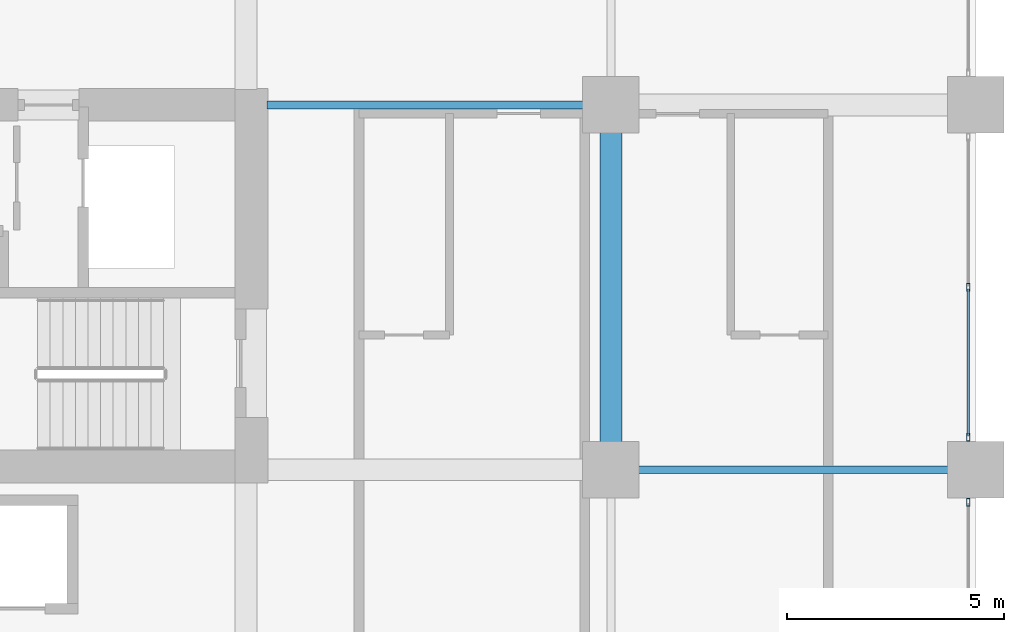
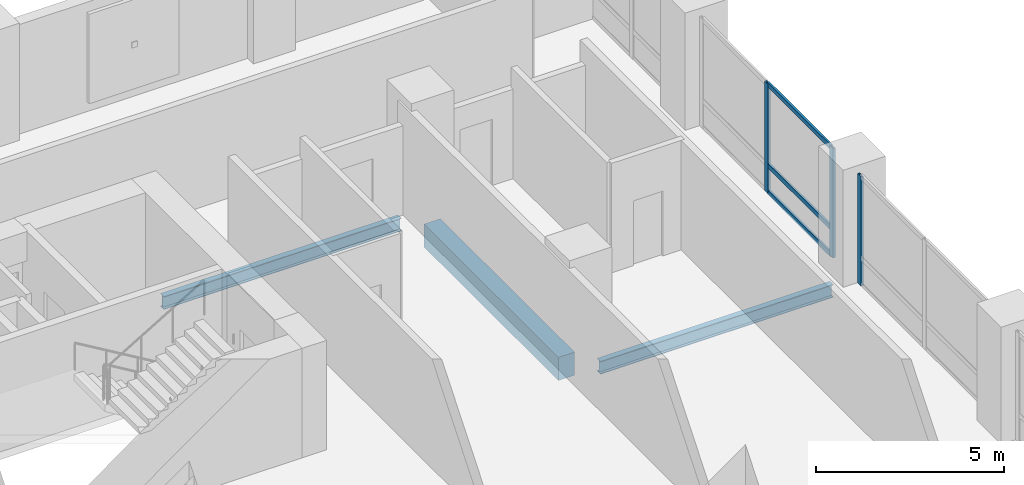
# One storey, part 5 of 24: 6 members, 3 beams, 2 elements without a shape of their own.
"""IFC4 building model written with IfcOpenShell, lengths in metres."""

import ifcopenshell
import ifcopenshell.guid

model = None  # the IFC model being written
_history = None  # IfcOwnerHistory: only IFC2X3 demands one
_inside = {}  # id of a spatial element -> (the spatial element, [elements in it])
_under = {}  # id of a project, library or spatial element -> (it, [spatial elements below it])
_declared = {}  # id of a project -> (the project, [libraries it declares])
_typed = {}  # id of a type object -> (the type object, [elements of that type])
_made_of = {}  # id of a material, layer set ... -> (it, [elements and type objects made of it])


def new_model(schema):
    """Start an empty IFC model of exactly this schema.

    Asked for "IFC4X3", IfcOpenShell would pick the latest addendum, in which some entities
    have other attributes; the version numbers below select the first issue.
    IFC2X3 requires an IfcOwnerHistory on every rooted entity: one is made here for all.
    """
    global model, _history
    if schema == "IFC4X3":
        model = ifcopenshell.file(schema_version=(4, 3, 0, 0))
    else:
        model = ifcopenshell.file(schema=schema)
    _inside.clear()
    _under.clear()
    _declared.clear()
    _typed.clear()
    _made_of.clear()
    _history = None
    if model.schema == "IFC2X3":
        org = make("IfcOrganization", Name="unknown")
        user = make(
            "IfcPersonAndOrganization",
            ThePerson=make("IfcPerson", FamilyName="unknown"),
            TheOrganization=org,
        )
        app = make(
            "IfcApplication",
            ApplicationDeveloper=org,
            Version="unknown",
            ApplicationFullName="unknown",
            ApplicationIdentifier="unknown",
        )
        _history = make(
            "IfcOwnerHistory",
            OwningUser=user,
            OwningApplication=app,
            ChangeAction="ADDED",
            CreationDate=0,
        )
    return model


def make(cls, **values):
    """One entity of the class cls with the attributes given. An attribute that is None is left unset."""
    return model.create_entity(
        cls, **{name: value for name, value in values.items() if value is not None}
    )


def rooted(cls, **values):
    """An entity with a GlobalId (a new one), such as an element, a storey or a relation."""
    return make(cls, GlobalId=ifcopenshell.guid.new(), OwnerHistory=_history, **values)


def si_unit(unit_type, name, prefix=None):
    """IfcSIUnit, for example si_unit("LENGTHUNIT", "METRE", prefix="MILLI")."""
    return make("IfcSIUnit", UnitType=unit_type, Prefix=prefix, Name=name)


def assignment(units):
    """IfcUnitAssignment: the units of a project."""
    return None if units is None else make("IfcUnitAssignment", Units=units)


def point(xyz):
    """IfcCartesianPoint."""
    return None if xyz is None else make("IfcCartesianPoint", Coordinates=xyz)


def direction(xyz):
    """IfcDirection."""
    return None if xyz is None else make("IfcDirection", DirectionRatios=xyz)


def frame(location, z_axis=None, x_axis=None):
    """IfcAxis2Placement3D, a coordinate frame: its origin and axes. An axis left out is left unset."""
    return make(
        "IfcAxis2Placement3D",
        Location=point(location),
        Axis=direction(z_axis),
        RefDirection=direction(x_axis),
    )


def frame_2d(location, x_axis=None):
    """IfcAxis2Placement2D, a coordinate frame in the plane: its origin and x axis."""
    return make(
        "IfcAxis2Placement2D", Location=point(location), RefDirection=direction(x_axis)
    )


def origin():
    """The frame at (0, 0, 0) with its axes left unset."""
    return frame((0.0, 0.0, 0.0))


def origin_2d():
    """The frame at (0, 0) in the plane with its x axis left unset."""
    return frame_2d((0.0, 0.0))


def place(relative_to, where):
    """IfcLocalPlacement: puts the frame where relative to a parent placement (None: the world)."""
    return make(
        "IfcLocalPlacement", PlacementRelTo=relative_to, RelativePlacement=where
    )


def context(
    kind, dimensions, precision=None, world=None, true_north=None, identifier=None
):
    """IfcGeometricRepresentationContext, for example the 3D "Model" context."""
    return make(
        "IfcGeometricRepresentationContext",
        ContextIdentifier=identifier,
        ContextType=kind,
        CoordinateSpaceDimension=dimensions,
        Precision=precision,
        WorldCoordinateSystem=world,
        TrueNorth=true_north,
    )


def subcontext(parent, identifier, kind, view, scale=None):
    """IfcGeometricRepresentationSubContext, for example "Body" below "Model"."""
    return make(
        "IfcGeometricRepresentationSubContext",
        ContextIdentifier=identifier,
        ContextType=kind,
        ParentContext=parent,
        TargetScale=scale,
        TargetView=view,
    )


def project(units=None, contexts=None):
    """IfcProject with its units and contexts."""
    return rooted(
        "IfcProject",
        Name="project",
        RepresentationContexts=contexts,
        UnitsInContext=assignment(units),
    )


def spatial(cls, under=None, at=None, **own):
    """A site, building, storey or space (cls), placed at a placement, below another one or the project."""
    s = rooted(cls, ObjectPlacement=at, **own)
    if under is not None:
        _under.setdefault(under.id(), (under, []))[1].append(s)
    return s


def profile(cls, at=None, kind="AREA", **sizes):
    """A parametric profile (cls). Its sizes go by their IFC names, for example OverallWidth=200.0."""
    return make(cls, ProfileType=kind, Position=at, **sizes)


def rectangle(**sizes):
    """IfcRectangleProfileDef."""
    return profile("IfcRectangleProfileDef", **sizes)


def hollow_rectangle(**sizes):
    """IfcRectangleHollowProfileDef."""
    return profile("IfcRectangleHollowProfileDef", **sizes)


def i_section(**sizes):
    """IfcIShapeProfileDef."""
    return profile("IfcIShapeProfileDef", **sizes)


def extrude(swept, where, along, depth):
    """IfcExtrudedAreaSolid: the profile swept, set in the frame where, extruded along a direction by depth."""
    return make(
        "IfcExtrudedAreaSolid",
        SweptArea=swept,
        Position=where,
        ExtrudedDirection=direction(along),
        Depth=depth,
    )


def shape(context_of_items, identifier, shape_type, items):
    """IfcShapeRepresentation: the items that make up one representation, for example the "Body"."""
    return make(
        "IfcShapeRepresentation",
        ContextOfItems=context_of_items,
        RepresentationIdentifier=identifier,
        RepresentationType=shape_type,
        Items=items,
    )


def material(Name=None, Category=None):
    """IfcMaterial."""
    return make("IfcMaterial", Name=Name, Category=Category)


def layer(
    of_material, thickness, ventilated=None, Name=None, Category=None, Priority=None
):
    """IfcMaterialLayer: one layer of a wall or slab, of a material (None: an air gap)."""
    return make(
        "IfcMaterialLayer",
        Material=of_material,
        LayerThickness=thickness,
        IsVentilated=ventilated,
        Name=Name,
        Category=Category,
        Priority=Priority,
    )


def layer_set(layers, Name=None):
    """IfcMaterialLayerSet."""
    return make("IfcMaterialLayerSet", MaterialLayers=layers, LayerSetName=Name)


def material_profile(
    of_material, cross_section, Name=None, Category=None, Priority=None
):
    """IfcMaterialProfile: a cross section and its material."""
    return make(
        "IfcMaterialProfile",
        Name=Name,
        Material=of_material,
        Profile=cross_section,
        Priority=Priority,
        Category=Category,
    )


def profile_set(profiles, Name=None, composite=None):
    """IfcMaterialProfileSet."""
    return make(
        "IfcMaterialProfileSet",
        Name=Name,
        MaterialProfiles=profiles,
        CompositeProfile=composite,
    )


def made_of(thing, what):
    """Note that an element or type object is made of a material, layer set ...; save() writes the relation."""
    if what is not None:
        _made_of.setdefault(what.id(), (what, []))[1].append(thing)
    return thing


def type_object(cls, material=None, **own):
    """A type object (cls), such as IfcWallType, which elements share."""
    return made_of(rooted(cls, **own), material)


def element(
    cls,
    number,
    at=None,
    inside=None,
    cuts=None,
    type_object=None,
    material=None,
    context=None,
    identifier="Body",
    shape_type=None,
    held_by="IfcProductDefinitionShape",
    body=None,
    shapes=None,
    **own,
):
    """One element of the class cls, such as IfcWall. Its Tag is "e" and its number.

    at: its placement. inside: the storey or other place that contains it. cuts: it is an
    opening in that element (IfcRelVoidsElement). A single representation is given by context,
    identifier, shape_type and body (its items); several are given by shapes. held_by: the class
    of the entity that holds the representations. save() writes the other relations.
    """
    e = rooted(cls, Tag="e%d" % number, ObjectPlacement=at, **own)
    if body is not None:
        shapes = [shape(context, identifier, shape_type, body)]
    if shapes is not None:
        e.Representation = make(held_by, Representations=shapes)
    if inside is not None:
        _inside.setdefault(inside.id(), (inside, []))[1].append(e)
    if cuts is not None:
        rooted(
            "IfcRelVoidsElement", RelatingBuildingElement=cuts, RelatedOpeningElement=e
        )
    if type_object is not None:
        _typed.setdefault(type_object.id(), (type_object, []))[1].append(e)
    return made_of(e, material)


def aggregate(whole, parts):
    """IfcRelAggregates: a whole, such as a stair, and the parts it consists of."""
    return rooted("IfcRelAggregates", RelatingObject=whole, RelatedObjects=parts)


def save(model, path):
    """Write the relations noted so far, then the file.

    IfcRelAggregates (storeys below a building ...), IfcRelContainedInSpatialStructure (elements
    in a storey), IfcRelDefinesByType, IfcRelAssociatesMaterial and IfcRelDeclares: one each for
    every whole, place, type object, material and project.
    """
    for whole, parts in _under.values():
        aggregate(whole, parts)
    for where, things in _inside.values():
        rooted(
            "IfcRelContainedInSpatialStructure",
            RelatedElements=things,
            RelatingStructure=where,
        )
    for kind, things in _typed.values():
        rooted("IfcRelDefinesByType", RelatedObjects=things, RelatingType=kind)
    for what, things in _made_of.values():
        rooted("IfcRelAssociatesMaterial", RelatedObjects=things, RelatingMaterial=what)
    for by, libraries in _declared.values():
        rooted("IfcRelDeclares", RelatingContext=by, RelatedDefinitions=libraries)
    model.write(path)


model = new_model("IFC4")

# Units and contexts
model_context = context("Model", 3, precision=1e-05, world=origin(), true_north=direction((0.0, 1.0)))
body_context = subcontext(model_context, "Body", "Model", "MODEL_VIEW")
ifc_project = project(units=[si_unit("LENGTHUNIT", "METRE"), si_unit("AREAUNIT", "SQUARE_METRE"), si_unit("VOLUMEUNIT", "CUBIC_METRE"), si_unit("PLANEANGLEUNIT", "RADIAN"), si_unit("MASSUNIT", "GRAM", prefix="KILO")], contexts=[model_context])

# Site, building, storey
site_placement = place(None, origin())
site = spatial("IfcSite", under=ifc_project, at=site_placement, CompositionType="ELEMENT")
building_placement = place(site_placement, origin())
building = spatial("IfcBuilding", under=site, at=building_placement, Name="Koriwani Terraces Tower", CompositionType="ELEMENT")
storey_placement = place(building_placement, frame((0.0, 0.0, 149.39990234375)))
storey = spatial("IfcBuildingStorey", under=building, at=storey_placement, Name="L36", CompositionType="ELEMENT", Elevation=149.39990234375)

# Beam
ifc_material_1 = material(Name="Concrete C50/60", Category="concrete")
ifc_material_profile_1 = material_profile(ifc_material_1, rectangle(XDim=0.5, YDim=0.75, at=origin_2d()), Name="Concrete C50/60", Category="LoadBearing")
ifc_profile_set_1 = profile_set([ifc_material_profile_1], Name="Concrete C50/60")
beam_type_1 = type_object("IfcBeamType", Name="BEAM_RC_GRID_500X750", PredefinedType="BEAM", material=ifc_profile_set_1)
beam_1_placement = place(storey_placement, frame((67.199951171875, 17.429931640625, -0.625), z_axis=(0.0, 1.0, 0.0), x_axis=(-1.0, 0.0, 0.0)))
element("IfcBeam", 1, at=beam_1_placement, inside=storey, type_object=beam_type_1, Name="L36 Grid Beam 9 (16.8-25.2m)", PredefinedType="BEAM", context=body_context, shape_type="SweptSolid", body=[
    extrude(rectangle(XDim=0.5, YDim=0.75, at=origin_2d()), origin(), (0.0, 0.0, 1.0), 7.14013671875),
])

# Curtain wall, members
ifc_material_2 = material(Name="Anodised Bronze Aluminium", Category="aluminium")
ifc_layer = layer(ifc_material_2, 0.179931640625, Name="Anodised Bronze Aluminium")
ifc_layer_set = layer_set([ifc_layer], Name="Anodised Bronze Aluminium")
curtain_wall_type = type_object("IfcCurtainWallType", Name="CW_HOTEL_ZONE2", PredefinedType="NOTDEFINED", material=ifc_layer_set)
curtain_wall_1_placement = place(storey_placement, origin())
curtain_wall_1 = element("IfcCurtainWall", 2, at=curtain_wall_1_placement, inside=storey, type_object=curtain_wall_type, Name="L36 Unitised Curtain Wall (E_TIP) Bay 2", PredefinedType="NOTDEFINED")
ifc_material_profile_2 = material_profile(ifc_material_2, hollow_rectangle(XDim=0.074951171875, YDim=0.179931640625, WallThickness=0.006103515625, at=origin_2d()), Name="Anodised Bronze Aluminium", Category="LoadBearing")
ifc_profile_set_2 = profile_set([ifc_material_profile_2], Name="Anodised Bronze Aluminium")
member_type_1 = type_object("IfcMemberType", Name="CW_MULLION_180X75", PredefinedType="MULLION", material=ifc_profile_set_2)
member_1_placement = place(storey_placement, frame((75.425048828125, 21.0, 0.0), z_axis=(0.0, 0.0, 1.0), x_axis=(1.0, 0.0, 0.0)))
member_1 = element("IfcMember", 3, at=member_1_placement, type_object=member_type_1, Name="CW-Z2 mullion 2", PredefinedType="MULLION", context=body_context, shape_type="SweptSolid", body=[
    extrude(hollow_rectangle(XDim=0.074951171875, YDim=0.179931640625, WallThickness=0.006103515625, at=origin_2d()), origin(), (0.0, 0.0, 1.0), 3.550048828125),
])
member_2_placement = place(storey_placement, frame((75.425048828125, 17.547607421875, 0.0), z_axis=(0.0, 0.0, 1.0), x_axis=(1.0, 0.0, 0.0)))
member_2 = element("IfcMember", 4, at=member_2_placement, type_object=member_type_1, Name="CW-Z2 mullion 3", PredefinedType="MULLION", context=body_context, shape_type="SweptSolid", body=[
    extrude(hollow_rectangle(XDim=0.074951171875, YDim=0.179931640625, WallThickness=0.006103515625, at=origin_2d()), origin(), (0.0, 0.0, 1.0), 3.550048828125),
])

# Curtain wall, member
curtain_wall_2_placement = place(storey_placement, origin())
curtain_wall_2 = element("IfcCurtainWall", 5, at=curtain_wall_2_placement, inside=storey, type_object=curtain_wall_type, Name="L36 Unitised Curtain Wall (E_TIP) Bay 3", PredefinedType="NOTDEFINED")
member_3_placement = place(storey_placement, frame((75.425048828125, 16.052490234375, 0.0), z_axis=(0.0, 0.0, 1.0), x_axis=(1.0, 0.0, 0.0)))
member_3 = element("IfcMember", 6, at=member_3_placement, type_object=member_type_1, Name="CW-Z2 mullion 1", PredefinedType="MULLION", context=body_context, shape_type="SweptSolid", body=[
    extrude(hollow_rectangle(XDim=0.074951171875, YDim=0.179931640625, WallThickness=0.006103515625, at=origin_2d()), origin(), (0.0, 0.0, 1.0), 3.550048828125),
])
aggregate(curtain_wall_2, [member_3])

# Member
ifc_material_profile_3 = material_profile(ifc_material_2, hollow_rectangle(XDim=0.06494140625, YDim=0.14990234375, WallThickness=0.0048828125, at=origin_2d()), Name="Anodised Bronze Aluminium", Category="LoadBearing")
ifc_profile_set_3 = profile_set([ifc_material_profile_3], Name="Anodised Bronze Aluminium")
member_type_2 = type_object("IfcMemberType", Name="CW_TRANSOM_150X65", PredefinedType="USERDEFINED", material=ifc_profile_set_3)
member_4_placement = place(storey_placement, frame((75.425048828125, 20.96240234375, 0.03271484375), z_axis=(0.0, -1.0, 0.0), x_axis=(1.0, 0.0, 0.0)))
member_4 = element("IfcMember", 7, at=member_4_placement, type_object=member_type_2, Name="CW-Z2 transom 2.1", ObjectType="TRANSOM", PredefinedType="USERDEFINED", context=body_context, shape_type="SweptSolid", body=[
    extrude(hollow_rectangle(XDim=0.06494140625, YDim=0.14990234375, WallThickness=0.0048828125, at=origin_2d()), origin(), (0.0, 0.0, 1.0), 3.37744140625),
])

member_5_placement = place(storey_placement, frame((75.425048828125, 20.96240234375, 0.900146484375), z_axis=(0.0, -1.0, 0.0), x_axis=(1.0, 0.0, 0.0)))
member_5 = element("IfcMember", 8, at=member_5_placement, type_object=member_type_2, Name="CW-Z2 transom 2.2", ObjectType="TRANSOM", PredefinedType="USERDEFINED", context=body_context, shape_type="SweptSolid", body=[
    extrude(hollow_rectangle(XDim=0.06494140625, YDim=0.14990234375, WallThickness=0.0048828125, at=origin_2d()), origin(), (0.0, 0.0, 1.0), 3.37744140625),
])

member_6_placement = place(storey_placement, frame((75.425048828125, 20.96240234375, 3.517578125), z_axis=(0.0, -1.0, 0.0), x_axis=(1.0, 0.0, 0.0)))
member_6 = element("IfcMember", 9, at=member_6_placement, type_object=member_type_2, Name="CW-Z2 transom 2.3", ObjectType="TRANSOM", PredefinedType="USERDEFINED", context=body_context, shape_type="SweptSolid", body=[
    extrude(hollow_rectangle(XDim=0.06494140625, YDim=0.14990234375, WallThickness=0.0048828125, at=origin_2d()), origin(), (0.0, 0.0, 1.0), 3.37744140625),
])

aggregate(curtain_wall_1, [member_1, member_2, member_4, member_5, member_6])

# Beams
ifc_material_3 = material(Name="Steel ASTM A572 Grade 50", Category="steel")
ifc_material_profile_4 = material_profile(ifc_material_3, i_section(OverallWidth=0.180908203125, OverallDepth=0.4169921875, WebThickness=0.010986328125, FlangeThickness=0.018310546875, at=origin_2d()), Name="Steel ASTM A572 Grade 50", Category="LoadBearing")
ifc_profile_set_4 = profile_set([ifc_material_profile_4], Name="Steel ASTM A572 Grade 50")
beam_type_2 = type_object("IfcBeamType", Name="STEEL_BEAM_W410X85", PredefinedType="JOIST", material=ifc_profile_set_4)
beam_2_placement = place(storey_placement, frame((67.830078125, 16.800048828125, -0.45849609375), z_axis=(1.0, 0.0, 0.0), x_axis=(0.0, 1.0, 0.0)))
element("IfcBeam", 10, at=beam_2_placement, inside=storey, type_object=beam_type_2, Name="L36 Grid Beam C (67.2-75.6m)", PredefinedType="JOIST", context=body_context, shape_type="SweptSolid", body=[
    extrude(i_section(OverallWidth=0.180908203125, OverallDepth=0.4169921875, WebThickness=0.010986328125, FlangeThickness=0.018310546875, at=origin_2d()), origin(), (0.0, 0.0, 1.0), 7.139892578125),
])
beam_3_placement = place(storey_placement, frame((59.280029296875, 25.199951171875, -0.45849609375), z_axis=(1.0, 0.0, 0.0), x_axis=(0.0, 1.0, 0.0)))
element("IfcBeam", 11, at=beam_3_placement, inside=storey, type_object=beam_type_2, Name="L36 Grid Beam D (58.8-67.2m)", PredefinedType="JOIST", context=body_context, shape_type="SweptSolid", body=[
    extrude(i_section(OverallWidth=0.180908203125, OverallDepth=0.4169921875, WebThickness=0.010986328125, FlangeThickness=0.018310546875, at=origin_2d()), origin(), (0.0, 0.0, 1.0), 7.2900390625),
])

save(model, "model.ifc")
